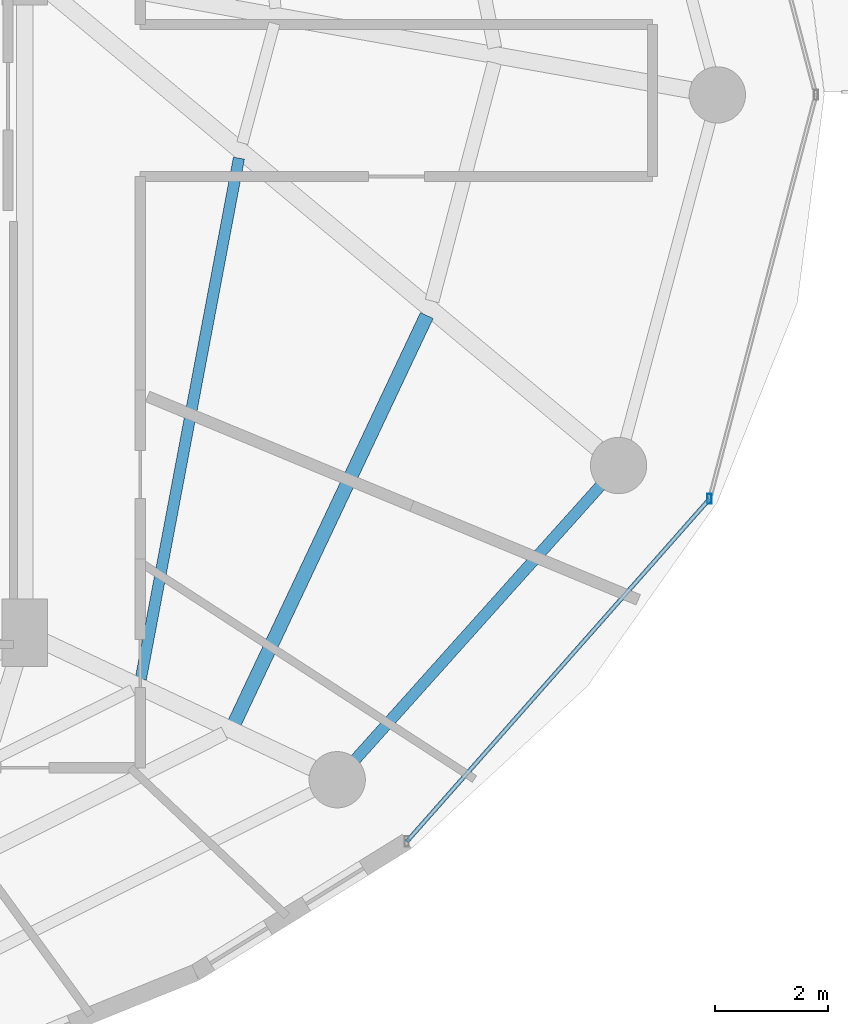
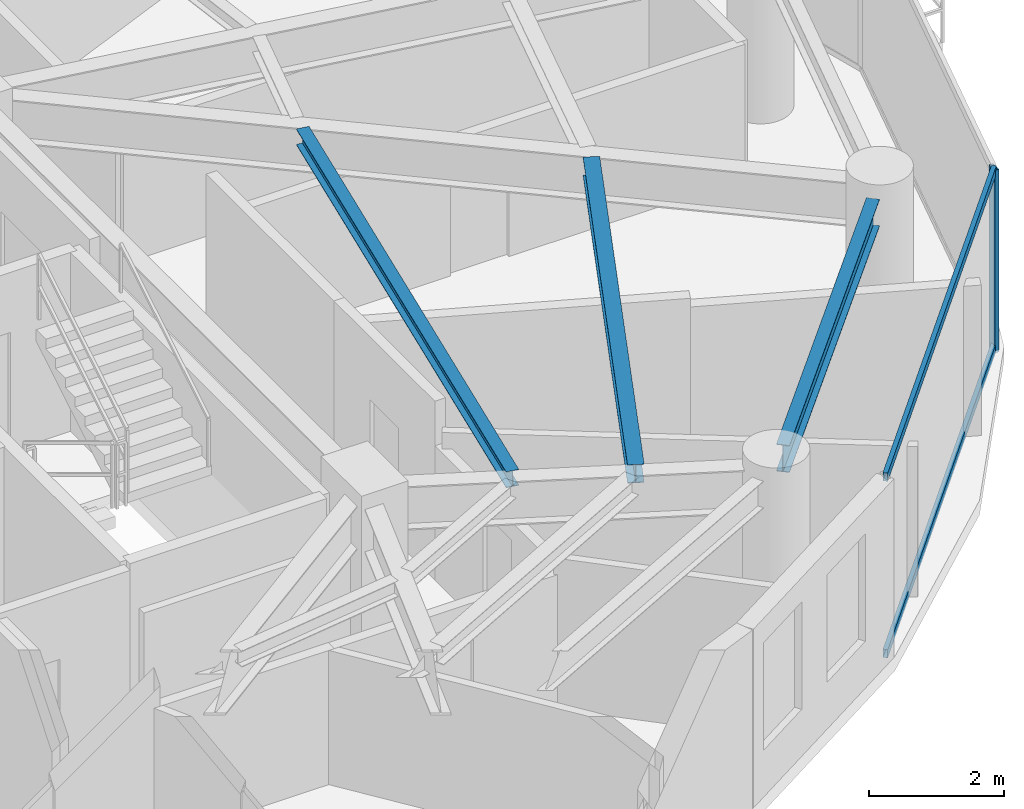
# One storey, part 11 of 28: 3 beams, 3 members, 1 element without a shape of its own.
"""IFC4 building model written with IfcOpenShell, lengths in metres."""

from ifc_helpers import new_model, si_unit, direction, frame, origin, origin_2d, place, context, subcontext, project, spatial, hollow_rectangle, i_section, extrude, material, material_profile, profile_set, type_object, element, aggregate, save


model = new_model("IFC4")

# Units and contexts
model_context = context("Model", 3, precision=1e-05, world=origin(), true_north=direction((0.0, 1.0)))
body_context = subcontext(model_context, "Body", "Model", "MODEL_VIEW")
ifc_project = project(units=[si_unit("LENGTHUNIT", "METRE"), si_unit("AREAUNIT", "SQUARE_METRE"), si_unit("VOLUMEUNIT", "CUBIC_METRE"), si_unit("PLANEANGLEUNIT", "RADIAN"), si_unit("MASSUNIT", "GRAM", prefix="KILO")], contexts=[model_context])

# Site, building, storey
site_placement = place(None, origin())
site = spatial("IfcSite", under=ifc_project, at=site_placement, CompositionType="ELEMENT")
building_placement = place(site_placement, origin())
building = spatial("IfcBuilding", under=site, at=building_placement, Name="Vorneva Point Tower", CompositionType="ELEMENT")
storey_placement = place(building_placement, frame((0.0, 0.0, 164.10009765625)))
storey = spatial("IfcBuildingStorey", under=building, at=storey_placement, Name="L44", CompositionType="ELEMENT", Elevation=164.10009765625)

# Beams
ifc_material_1 = material(Name="Steel S355", Category="steel")
ifc_material_profile_1 = material_profile(ifc_material_1, i_section(OverallWidth=0.199951171875, OverallDepth=0.291015625, WebThickness=0.008056640625, FlangeThickness=0.010986328125, at=origin_2d()), Name="30Sh1")
ifc_profile_set_1 = profile_set([ifc_material_profile_1], Name="Steel S355")
beam_type_1 = type_object("IfcBeamType", Name="BM-SEC-30Sh1", PredefinedType="BEAM", material=ifc_profile_set_1)
beam_1_placement = place(storey_placement, frame((50.81103515625, 15.62744140625, 3.094482421875), z_axis=(0.185093544859, 0.982720906286, 0.0), x_axis=(-0.982720906286, 0.185093544859, 0.0)))
element("IfcBeam", 1, at=beam_1_placement, inside=storey, type_object=beam_type_1, Name="L44 Secondary Floor Beam 2.15", PredefinedType="BEAM", context=body_context, shape_type="SweptSolid", body=[
    extrude(i_section(OverallWidth=0.199951171875, OverallDepth=0.291015625, WebThickness=0.008056640625, FlangeThickness=0.010986328125, at=origin_2d()), origin(), (0.0, 0.0, 1.0), 9.4111328125),
])
ifc_material_profile_2 = material_profile(ifc_material_1, i_section(OverallWidth=0.2490234375, OverallDepth=0.333984375, WebThickness=0.008056640625, FlangeThickness=0.010986328125, at=origin_2d()), Name="35Sh1")
ifc_profile_set_2 = profile_set([ifc_material_profile_2], Name="Steel S355")
beam_type_2 = type_object("IfcBeamType", Name="BM-SEC-35Sh1", PredefinedType="BEAM", material=ifc_profile_set_2)
beam_2_placement = place(storey_placement, frame((52.476318359375, 14.848388671875, 3.072998046875), z_axis=(0.426717146128, 0.904385137649, 0.0), x_axis=(-0.904385137649, 0.426717146128, 0.0)))
element("IfcBeam", 2, at=beam_2_placement, inside=storey, type_object=beam_type_2, Name="L44 Secondary Floor Beam 1.15", PredefinedType="BEAM", context=body_context, shape_type="SweptSolid", body=[
    extrude(i_section(OverallWidth=0.2490234375, OverallDepth=0.333984375, WebThickness=0.008056640625, FlangeThickness=0.010986328125, at=origin_2d()), origin(), (0.0, 0.0, 1.0), 7.997314453125),
])
ifc_material_profile_3 = material_profile(ifc_material_1, i_section(OverallWidth=0.199951171875, OverallDepth=0.491943359375, WebThickness=0.0087890625, FlangeThickness=0.011962890625, at=origin_2d()), Name="50B1")
ifc_profile_set_3 = profile_set([ifc_material_profile_3], Name="Steel S355")
beam_type_3 = type_object("IfcBeamType", Name="BM-SPN-50B1", PredefinedType="SPANDREL", material=ifc_profile_set_3)
beam_3_placement = place(storey_placement, frame((54.622314453125, 14.19921875, 2.993896484375), z_axis=(0.667111118975, 0.74495822362, 0.0), x_axis=(-0.74495822362, 0.667111118975, 0.0)))
element("IfcBeam", 3, at=beam_3_placement, inside=storey, type_object=beam_type_3, Name="L44 Perimeter Spandrel Ring Beam 15", PredefinedType="SPANDREL", context=body_context, shape_type="SweptSolid", body=[
    extrude(i_section(OverallWidth=0.199951171875, OverallDepth=0.491943359375, WebThickness=0.0087890625, FlangeThickness=0.011962890625, at=origin_2d()), origin(), (0.0, 0.0, 1.0), 6.52001953125),
])

# Curtain wall, members
ifc_material_2 = material(Name="Pale anodised aluminium", Category="aluminium")
curtain_wall_type = type_object("IfcCurtainWallType", Name="CW-RES-SYS", PredefinedType="NOTDEFINED", material=ifc_material_2)
curtain_wall_placement = place(storey_placement, origin())
curtain_wall = element("IfcCurtainWall", 4, at=curtain_wall_placement, inside=storey, type_object=curtain_wall_type, Name="L44 Unitised Curtain Wall CW-L44-R01", PredefinedType="NOTDEFINED")
ifc_material_profile_4 = material_profile(ifc_material_2, hollow_rectangle(XDim=0.074951171875, YDim=0.179931640625, WallThickness=0.00390625, at=origin_2d()), Name="AL-MUL 180x75x4")
ifc_profile_set_4 = profile_set([ifc_material_profile_4], Name="Pale anodised aluminium")
member_type_1 = type_object("IfcMemberType", Name="CW-MUL-180", PredefinedType="MULLION", material=ifc_profile_set_4)
member_1_placement = place(storey_placement, frame((60.912109375, 18.82470703125, -0.0400390625), z_axis=(0.0, 0.0, 1.0), x_axis=(1.0, 0.0, 0.0)))
member_1 = element("IfcMember", 5, at=member_1_placement, type_object=member_type_1, Name="CW-L44-R01 Mullion 02", PredefinedType="MULLION", context=body_context, shape_type="SweptSolid", body=[
    extrude(hollow_rectangle(XDim=0.074951171875, YDim=0.179931640625, WallThickness=0.00390625, at=origin_2d()), origin(), (0.0, 0.0, 1.0), 3.31005859375),
])
ifc_material_profile_5 = material_profile(ifc_material_2, hollow_rectangle(XDim=0.074951171875, YDim=0.14990234375, WallThickness=0.00390625, at=origin_2d()), Name="AL-TRN 150x75x4")
ifc_profile_set_5 = profile_set([ifc_material_profile_5], Name="Pale anodised aluminium")
member_type_2 = type_object("IfcMemberType", Name="CW-TRN-150", PredefinedType="USERDEFINED", material=ifc_profile_set_5)
member_2_placement = place(storey_placement, frame((55.5361328125, 12.74169921875, 0.02001953125), z_axis=(0.662218216609, 0.749311039283, 0.0), x_axis=(-0.749311039283, 0.662218216609, 0.0)))
member_2 = element("IfcMember", 6, at=member_2_placement, type_object=member_type_2, Name="CW-L44-R01 Transom 01.1", ObjectType="TRANSOM", PredefinedType="USERDEFINED", context=body_context, shape_type="SweptSolid", body=[
    extrude(hollow_rectangle(XDim=0.074951171875, YDim=0.14990234375, WallThickness=0.00390625, at=origin_2d()), origin(), (0.0, 0.0, 1.0), 8.1181640625),
])
member_3_placement = place(storey_placement, frame((55.5361328125, 12.74169921875, 3.219970703125), z_axis=(0.662218216609, 0.749311039283, 0.0), x_axis=(-0.749311039283, 0.662218216609, 0.0)))
member_3 = element("IfcMember", 7, at=member_3_placement, type_object=member_type_2, Name="CW-L44-R01 Transom 01.2", ObjectType="TRANSOM", PredefinedType="USERDEFINED", context=body_context, shape_type="SweptSolid", body=[
    extrude(hollow_rectangle(XDim=0.074951171875, YDim=0.14990234375, WallThickness=0.00390625, at=origin_2d()), origin(), (0.0, 0.0, 1.0), 8.1181640625),
])
aggregate(curtain_wall, [member_1, member_2, member_3])

save(model, "model.ifc")
